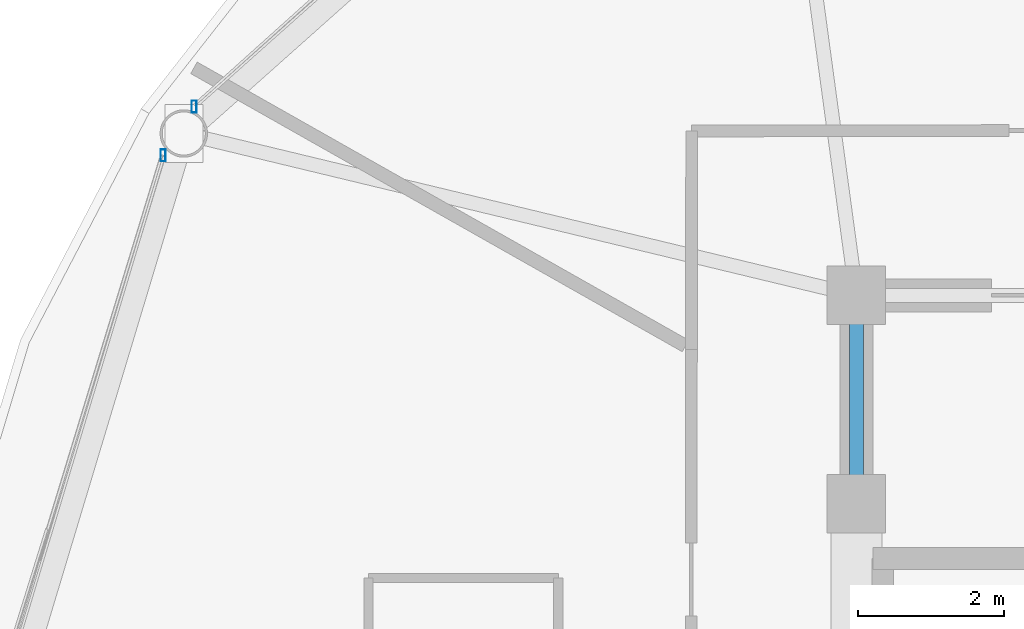
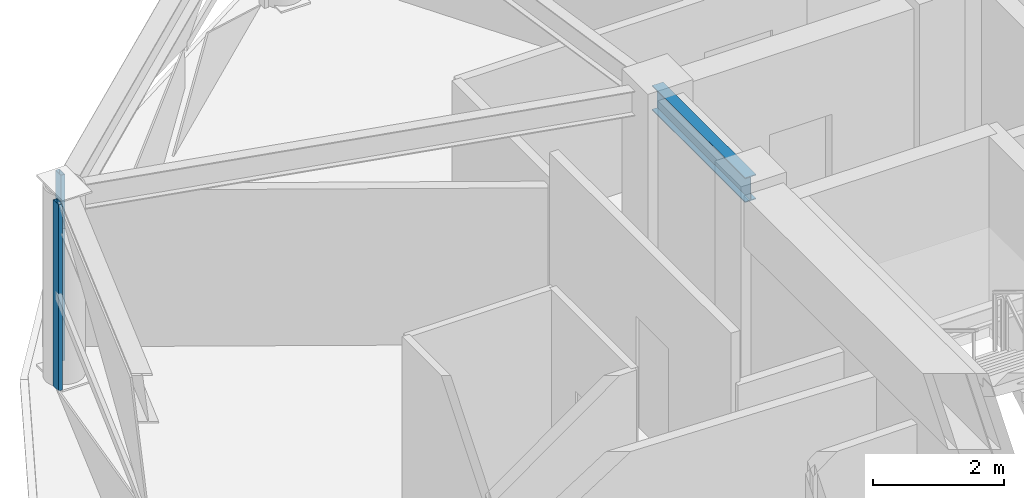
# One storey, part 9 of 28: 2 members, 1 beam, 2 elements without a shape of their own.
"""IFC4 building model written with IfcOpenShell, lengths in metres."""

from ifc_helpers import new_model, si_unit, direction, frame, origin, origin_2d, place, context, subcontext, project, spatial, hollow_rectangle, i_section, extrude, material, layer, layer_set, material_profile, profile_set, type_object, element, aggregate, save


model = new_model("IFC4")

# Units and contexts
model_context = context("Model", 3, precision=1e-05, world=origin(), true_north=direction((0.0, 1.0)))
body_context = subcontext(model_context, "Body", "Model", "MODEL_VIEW")
ifc_project = project(units=[si_unit("LENGTHUNIT", "METRE"), si_unit("AREAUNIT", "SQUARE_METRE"), si_unit("VOLUMEUNIT", "CUBIC_METRE"), si_unit("PLANEANGLEUNIT", "RADIAN"), si_unit("MASSUNIT", "GRAM", prefix="KILO")], contexts=[model_context])

# Site, building, storey
site_placement = place(None, origin())
site = spatial("IfcSite", under=ifc_project, at=site_placement, CompositionType="ELEMENT")
building_placement = place(site_placement, origin())
building = spatial("IfcBuilding", under=site, at=building_placement, Name="Vantalir Tower", CompositionType="ELEMENT")
storey_placement = place(building_placement, frame((0.0, 0.0, 238.64990234375)))
storey = spatial("IfcBuildingStorey", under=building, at=storey_placement, Name="L60", CompositionType="ELEMENT", Elevation=238.64990234375)

# Beam
ifc_material_1 = material(Name="Steel S355", Category="steel")
ifc_material_profile_1 = material_profile(ifc_material_1, i_section(OverallWidth=0.19189453125, OverallDepth=0.462890625, WebThickness=0.010498046875, FlangeThickness=0.017578125, at=origin_2d()), Name="Steel S355")
ifc_profile_set_1 = profile_set([ifc_material_profile_1], Name="Steel S355")
beam_type = type_object("IfcBeamType", Name="BM-RB-457x191", PredefinedType="BEAM", material=ifc_profile_set_1)
beam_placement = place(storey_placement, frame((21.89990234375, 32.449951171875, 3.338134765625), z_axis=(0.0, -1.0, 0.0), x_axis=(1.0, 0.0, 0.0)))
element("IfcBeam", 1, at=beam_placement, inside=storey, type_object=beam_type, Name="L60 Core Coupling Girder 12", PredefinedType="BEAM", context=body_context, shape_type="SweptSolid", body=[
    extrude(i_section(OverallWidth=0.19189453125, OverallDepth=0.462890625, WebThickness=0.010498046875, FlangeThickness=0.017578125, at=origin_2d()), origin(), (0.0, 0.0, 1.0), 2.849853515625),
])

# Curtain wall, member
ifc_material_2 = material(Name="Champagne-silver PVDF aluminium and double-silver Low-E glass", Category="aluminium")
ifc_layer = layer(ifc_material_2, 0.2099609375)
ifc_layer_set = layer_set([ifc_layer], Name="Champagne-silver PVDF aluminium and double-silver Low-E glass")
curtain_wall_type = type_object("IfcCurtainWallType", Name="CW-DIAMOND-Z3", PredefinedType="USERDEFINED", material=ifc_layer_set)
curtain_wall_1_placement = place(storey_placement, origin())
curtain_wall_1 = element("IfcCurtainWall", 2, at=curtain_wall_1_placement, inside=storey, type_object=curtain_wall_type, Name="L60 Quilted Pyramid-Diamond Curtain Wall S05", ObjectType="UNITISED CURTAIN WALL", PredefinedType="USERDEFINED")
ifc_material_3 = material(Name="Champagne-silver PVDF aluminium 6063-T6", Category="aluminium")
ifc_material_profile_2 = material_profile(ifc_material_3, hollow_rectangle(XDim=0.070068359375, YDim=0.1650390625, WallThickness=0.00390625, at=origin_2d()), Name="Champagne-silver PVDF aluminium 6063-T6")
ifc_profile_set_2 = profile_set([ifc_material_profile_2], Name="Champagne-silver PVDF aluminium 6063-T6")
member_type = type_object("IfcMemberType", Name="CWM-165x70", PredefinedType="MULLION", material=ifc_profile_set_2)
member_1_placement = place(storey_placement, frame((12.8330078125, 35.033935546875, 0.045166015625), z_axis=(0.0, 0.0, 1.0), x_axis=(1.0, 0.0, 0.0)))
member_1 = element("IfcMember", 3, at=member_1_placement, type_object=member_type, Name="CW-L60-S05 Mullion 2", PredefinedType="MULLION", context=body_context, shape_type="SweptSolid", body=[
    extrude(hollow_rectangle(XDim=0.070068359375, YDim=0.1650390625, WallThickness=0.00390625, at=origin_2d()), origin(), (0.0, 0.0, 1.0), 3.47998046875),
])
aggregate(curtain_wall_1, [member_1])

curtain_wall_2_placement = place(storey_placement, origin())
curtain_wall_2 = element("IfcCurtainWall", 4, at=curtain_wall_2_placement, inside=storey, type_object=curtain_wall_type, Name="L60 Quilted Pyramid-Diamond Curtain Wall S06", ObjectType="UNITISED CURTAIN WALL", PredefinedType="USERDEFINED")
member_2_placement = place(storey_placement, frame((12.408935546875, 34.367919921875, 0.045166015625), z_axis=(0.0, 0.0, 1.0), x_axis=(1.0, 0.0, 0.0)))
member_2 = element("IfcMember", 5, at=member_2_placement, type_object=member_type, Name="CW-L60-S06 Mullion 1", PredefinedType="MULLION", context=body_context, shape_type="SweptSolid", body=[
    extrude(hollow_rectangle(XDim=0.070068359375, YDim=0.1650390625, WallThickness=0.00390625, at=origin_2d()), origin(), (0.0, 0.0, 1.0), 3.47998046875),
])
aggregate(curtain_wall_2, [member_2])

save(model, "model.ifc")
